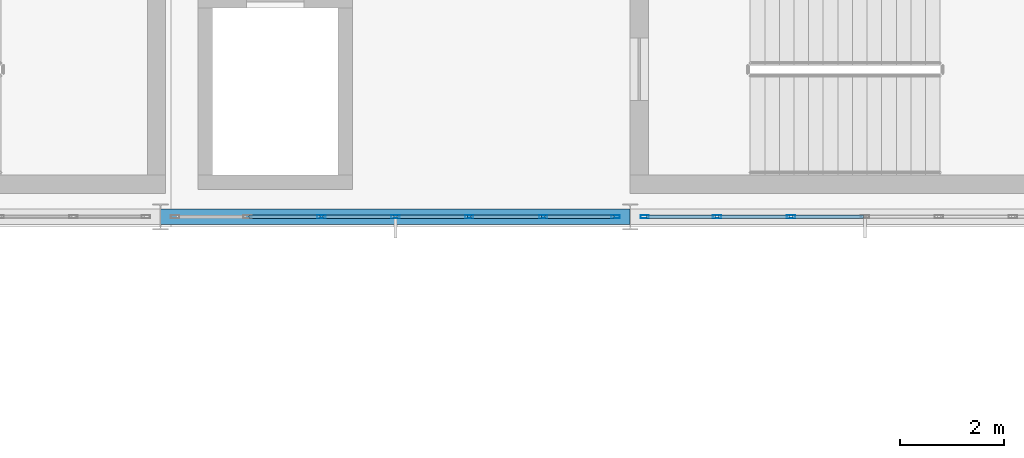
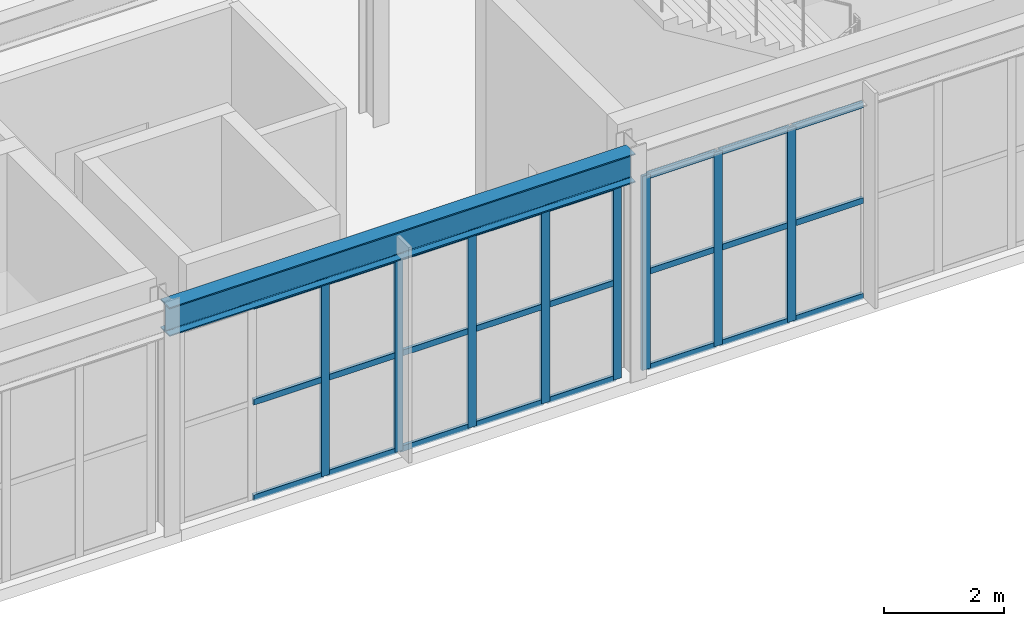
# One storey, part 29 of 112: 32 members, 1 beam, 2 elements without a shape of their own.
"""IFC4 building model written with IfcOpenShell, lengths in metres."""

from ifc_helpers import new_model, si_unit, direction, frame, origin, origin_2d, place, context, subcontext, project, spatial, hollow_rectangle, i_section, extrude, material, material_profile, profile_set, type_object, element, aggregate, save


model = new_model("IFC4")

# Units and contexts
model_context = context("Model", 3, precision=1e-05, world=origin(), true_north=direction((0.0, 1.0)))
body_context = subcontext(model_context, "Body", "Model", "MODEL_VIEW")
ifc_project = project(units=[si_unit("LENGTHUNIT", "METRE"), si_unit("AREAUNIT", "SQUARE_METRE"), si_unit("VOLUMEUNIT", "CUBIC_METRE"), si_unit("PLANEANGLEUNIT", "RADIAN"), si_unit("MASSUNIT", "GRAM", prefix="KILO")], contexts=[model_context])

# Site, building, storey
site_placement = place(None, origin())
site = spatial("IfcSite", under=ifc_project, at=site_placement, CompositionType="ELEMENT")
building_placement = place(site_placement, origin())
building = spatial("IfcBuilding", under=site, at=building_placement, Name="Kaldris Quays Convention Centre", CompositionType="ELEMENT")
storey_placement = place(building_placement, frame((0.0, 0.0, 16.800048828125)))
storey = spatial("IfcBuildingStorey", under=building, at=storey_placement, Name="L03", CompositionType="ELEMENT", Elevation=16.800048828125)

# Curtain wall, members
ifc_material_1 = material(Name="Anodized aluminium AW-6060 and triple glazing", Category="aluminium")
curtain_wall_type = type_object("IfcCurtainWallType", Name="UNITISED CURTAIN WALL CW04", PredefinedType="NOTDEFINED", material=ifc_material_1)
curtain_wall_1_placement = place(storey_placement, origin())
curtain_wall_1 = element("IfcCurtainWall", 1, at=curtain_wall_1_placement, inside=storey, type_object=curtain_wall_type, Name="L03 Unitised Curtain Wall CW04 123", PredefinedType="NOTDEFINED")
ifc_material_2 = material(Name="Anodized aluminium AW-6060", Category="aluminium")
ifc_material_profile_1 = material_profile(ifc_material_2, hollow_rectangle(XDim=0.06005859375, YDim=0.159912109375, WallThickness=0.00390625, at=origin_2d()), Name="RHS 160x60x4")
ifc_profile_set_1 = profile_set([ifc_material_profile_1], Name="Anodized aluminium AW-6060")
member_type_1 = type_object("IfcMemberType", Name="CURTAIN MULLION CWM1", PredefinedType="MULLION", material=ifc_profile_set_1)
member_1_placement = place(storey_placement, frame((104.083251953125, 38.0, 0.0), z_axis=(0.0, 0.0, 1.0), x_axis=(0.0, 1.0, 0.0)))
member_1 = element("IfcMember", 2, at=member_1_placement, type_object=member_type_1, Name="CW04 mullion 3", PredefinedType="MULLION", context=body_context, shape_type="SweptSolid", body=[
    extrude(hollow_rectangle(XDim=0.06005859375, YDim=0.159912109375, WallThickness=0.00390625, at=origin_2d()), origin(), (0.0, 0.0, 1.0), 3.96484375),
])
member_2_placement = place(storey_placement, frame((105.5, 38.0, 0.0), z_axis=(0.0, 0.0, 1.0), x_axis=(0.0, 1.0, 0.0)))
member_2 = element("IfcMember", 3, at=member_2_placement, type_object=member_type_1, Name="CW04 mullion 4", PredefinedType="MULLION", context=body_context, shape_type="SweptSolid", body=[
    extrude(hollow_rectangle(XDim=0.06005859375, YDim=0.159912109375, WallThickness=0.00390625, at=origin_2d()), origin(), (0.0, 0.0, 1.0), 3.96484375),
])
member_3_placement = place(storey_placement, frame((106.916748046875, 38.0, 0.0), z_axis=(0.0, 0.0, 1.0), x_axis=(0.0, 1.0, 0.0)))
member_3 = element("IfcMember", 4, at=member_3_placement, type_object=member_type_1, Name="CW04 mullion 5", PredefinedType="MULLION", context=body_context, shape_type="SweptSolid", body=[
    extrude(hollow_rectangle(XDim=0.06005859375, YDim=0.159912109375, WallThickness=0.00390625, at=origin_2d()), origin(), (0.0, 0.0, 1.0), 3.96484375),
])
member_4_placement = place(storey_placement, frame((108.333251953125, 38.0, 0.0), z_axis=(0.0, 0.0, 1.0), x_axis=(0.0, 1.0, 0.0)))
member_4 = element("IfcMember", 5, at=member_4_placement, type_object=member_type_1, Name="CW04 mullion 6", PredefinedType="MULLION", context=body_context, shape_type="SweptSolid", body=[
    extrude(hollow_rectangle(XDim=0.06005859375, YDim=0.159912109375, WallThickness=0.00390625, at=origin_2d()), origin(), (0.0, 0.0, 1.0), 3.96484375),
])
member_5_placement = place(storey_placement, frame((109.719970703125, 38.0, 0.0), z_axis=(0.0, 0.0, 1.0), x_axis=(0.0, 1.0, 0.0)))
member_5 = element("IfcMember", 6, at=member_5_placement, type_object=member_type_1, Name="CW04 mullion 7", PredefinedType="MULLION", context=body_context, shape_type="SweptSolid", body=[
    extrude(hollow_rectangle(XDim=0.06005859375, YDim=0.159912109375, WallThickness=0.00390625, at=origin_2d()), origin(), (0.0, 0.0, 1.0), 3.96484375),
])

curtain_wall_2_placement = place(storey_placement, origin())
curtain_wall_2 = element("IfcCurtainWall", 7, at=curtain_wall_2_placement, inside=storey, type_object=curtain_wall_type, Name="L03 Unitised Curtain Wall CW04 124", PredefinedType="NOTDEFINED")
member_6_placement = place(storey_placement, frame((110.280029296875, 38.0, 0.0), z_axis=(0.0, 0.0, 1.0), x_axis=(0.0, 1.0, 0.0)))
member_6 = element("IfcMember", 8, at=member_6_placement, type_object=member_type_1, Name="CW04 mullion 1", PredefinedType="MULLION", context=body_context, shape_type="SweptSolid", body=[
    extrude(hollow_rectangle(XDim=0.06005859375, YDim=0.159912109375, WallThickness=0.00390625, at=origin_2d()), origin(), (0.0, 0.0, 1.0), 3.96484375),
])
member_7_placement = place(storey_placement, frame((111.666748046875, 38.0, 0.0), z_axis=(0.0, 0.0, 1.0), x_axis=(0.0, 1.0, 0.0)))
member_7 = element("IfcMember", 9, at=member_7_placement, type_object=member_type_1, Name="CW04 mullion 2", PredefinedType="MULLION", context=body_context, shape_type="SweptSolid", body=[
    extrude(hollow_rectangle(XDim=0.06005859375, YDim=0.159912109375, WallThickness=0.00390625, at=origin_2d()), origin(), (0.0, 0.0, 1.0), 3.96484375),
])
member_8_placement = place(storey_placement, frame((113.083251953125, 38.0, 0.0), z_axis=(0.0, 0.0, 1.0), x_axis=(0.0, 1.0, 0.0)))
member_8 = element("IfcMember", 10, at=member_8_placement, type_object=member_type_1, Name="CW04 mullion 3", PredefinedType="MULLION", context=body_context, shape_type="SweptSolid", body=[
    extrude(hollow_rectangle(XDim=0.06005859375, YDim=0.159912109375, WallThickness=0.00390625, at=origin_2d()), origin(), (0.0, 0.0, 1.0), 3.96484375),
])

# Member
ifc_material_profile_2 = material_profile(ifc_material_2, hollow_rectangle(XDim=0.06005859375, YDim=0.1201171875, WallThickness=0.00390625, at=origin_2d()), Name="RHS 120x60x4")
ifc_profile_set_2 = profile_set([ifc_material_profile_2], Name="Anodized aluminium AW-6060")
member_type_2 = type_object("IfcMemberType", Name="CURTAIN TRANSOM CWT1", PredefinedType="USERDEFINED", material=ifc_profile_set_2)
member_9_placement = place(storey_placement, frame((102.69677734375, 38.0, 0.030029296875), z_axis=(1.0, 0.0, 0.0), x_axis=(0.0, 1.0, 0.0)))
member_9 = element("IfcMember", 11, at=member_9_placement, type_object=member_type_2, Name="CW04 transom 2.1", ObjectType="TRANSOM", PredefinedType="USERDEFINED", context=body_context, shape_type="SweptSolid", body=[
    extrude(hollow_rectangle(XDim=0.06005859375, YDim=0.1201171875, WallThickness=0.00390625, at=origin_2d()), origin(), (0.0, 0.0, 1.0), 1.3564453125),
])

member_10_placement = place(storey_placement, frame((102.69677734375, 38.0, 1.98193359375), z_axis=(1.0, 0.0, 0.0), x_axis=(0.0, 1.0, 0.0)))
member_10 = element("IfcMember", 12, at=member_10_placement, type_object=member_type_2, Name="CW04 transom 2.2", ObjectType="TRANSOM", PredefinedType="USERDEFINED", context=body_context, shape_type="SweptSolid", body=[
    extrude(hollow_rectangle(XDim=0.06005859375, YDim=0.1201171875, WallThickness=0.00390625, at=origin_2d()), origin(), (0.0, 0.0, 1.0), 1.3564453125),
])

member_11_placement = place(storey_placement, frame((102.69677734375, 38.0, 3.93505859375), z_axis=(1.0, 0.0, 0.0), x_axis=(0.0, 1.0, 0.0)))
member_11 = element("IfcMember", 13, at=member_11_placement, type_object=member_type_2, Name="CW04 transom 2.3", ObjectType="TRANSOM", PredefinedType="USERDEFINED", context=body_context, shape_type="SweptSolid", body=[
    extrude(hollow_rectangle(XDim=0.06005859375, YDim=0.1201171875, WallThickness=0.00390625, at=origin_2d()), origin(), (0.0, 0.0, 1.0), 1.3564453125),
])

member_12_placement = place(storey_placement, frame((104.11328125, 38.0, 0.030029296875), z_axis=(1.0, 0.0, 0.0), x_axis=(0.0, 1.0, 0.0)))
member_12 = element("IfcMember", 14, at=member_12_placement, type_object=member_type_2, Name="CW04 transom 3.1", ObjectType="TRANSOM", PredefinedType="USERDEFINED", context=body_context, shape_type="SweptSolid", body=[
    extrude(hollow_rectangle(XDim=0.06005859375, YDim=0.1201171875, WallThickness=0.00390625, at=origin_2d()), origin(), (0.0, 0.0, 1.0), 1.356689453125),
])

member_13_placement = place(storey_placement, frame((104.11328125, 38.0, 1.98193359375), z_axis=(1.0, 0.0, 0.0), x_axis=(0.0, 1.0, 0.0)))
member_13 = element("IfcMember", 15, at=member_13_placement, type_object=member_type_2, Name="CW04 transom 3.2", ObjectType="TRANSOM", PredefinedType="USERDEFINED", context=body_context, shape_type="SweptSolid", body=[
    extrude(hollow_rectangle(XDim=0.06005859375, YDim=0.1201171875, WallThickness=0.00390625, at=origin_2d()), origin(), (0.0, 0.0, 1.0), 1.356689453125),
])

member_14_placement = place(storey_placement, frame((104.11328125, 38.0, 3.93505859375), z_axis=(1.0, 0.0, 0.0), x_axis=(0.0, 1.0, 0.0)))
member_14 = element("IfcMember", 16, at=member_14_placement, type_object=member_type_2, Name="CW04 transom 3.3", ObjectType="TRANSOM", PredefinedType="USERDEFINED", context=body_context, shape_type="SweptSolid", body=[
    extrude(hollow_rectangle(XDim=0.06005859375, YDim=0.1201171875, WallThickness=0.00390625, at=origin_2d()), origin(), (0.0, 0.0, 1.0), 1.356689453125),
])

member_15_placement = place(storey_placement, frame((105.530029296875, 38.0, 0.030029296875), z_axis=(1.0, 0.0, 0.0), x_axis=(0.0, 1.0, 0.0)))
member_15 = element("IfcMember", 17, at=member_15_placement, type_object=member_type_2, Name="CW04 transom 4.1", ObjectType="TRANSOM", PredefinedType="USERDEFINED", context=body_context, shape_type="SweptSolid", body=[
    extrude(hollow_rectangle(XDim=0.06005859375, YDim=0.1201171875, WallThickness=0.00390625, at=origin_2d()), origin(), (0.0, 0.0, 1.0), 1.356689453125),
])

member_16_placement = place(storey_placement, frame((105.530029296875, 38.0, 1.98193359375), z_axis=(1.0, 0.0, 0.0), x_axis=(0.0, 1.0, 0.0)))
member_16 = element("IfcMember", 18, at=member_16_placement, type_object=member_type_2, Name="CW04 transom 4.2", ObjectType="TRANSOM", PredefinedType="USERDEFINED", context=body_context, shape_type="SweptSolid", body=[
    extrude(hollow_rectangle(XDim=0.06005859375, YDim=0.1201171875, WallThickness=0.00390625, at=origin_2d()), origin(), (0.0, 0.0, 1.0), 1.356689453125),
])

member_17_placement = place(storey_placement, frame((105.530029296875, 38.0, 3.93505859375), z_axis=(1.0, 0.0, 0.0), x_axis=(0.0, 1.0, 0.0)))
member_17 = element("IfcMember", 19, at=member_17_placement, type_object=member_type_2, Name="CW04 transom 4.3", ObjectType="TRANSOM", PredefinedType="USERDEFINED", context=body_context, shape_type="SweptSolid", body=[
    extrude(hollow_rectangle(XDim=0.06005859375, YDim=0.1201171875, WallThickness=0.00390625, at=origin_2d()), origin(), (0.0, 0.0, 1.0), 1.356689453125),
])

member_18_placement = place(storey_placement, frame((106.94677734375, 38.0, 0.030029296875), z_axis=(1.0, 0.0, 0.0), x_axis=(0.0, 1.0, 0.0)))
member_18 = element("IfcMember", 20, at=member_18_placement, type_object=member_type_2, Name="CW04 transom 5.1", ObjectType="TRANSOM", PredefinedType="USERDEFINED", context=body_context, shape_type="SweptSolid", body=[
    extrude(hollow_rectangle(XDim=0.06005859375, YDim=0.1201171875, WallThickness=0.00390625, at=origin_2d()), origin(), (0.0, 0.0, 1.0), 1.3564453125),
])

member_19_placement = place(storey_placement, frame((106.94677734375, 38.0, 1.98193359375), z_axis=(1.0, 0.0, 0.0), x_axis=(0.0, 1.0, 0.0)))
member_19 = element("IfcMember", 21, at=member_19_placement, type_object=member_type_2, Name="CW04 transom 5.2", ObjectType="TRANSOM", PredefinedType="USERDEFINED", context=body_context, shape_type="SweptSolid", body=[
    extrude(hollow_rectangle(XDim=0.06005859375, YDim=0.1201171875, WallThickness=0.00390625, at=origin_2d()), origin(), (0.0, 0.0, 1.0), 1.3564453125),
])

member_20_placement = place(storey_placement, frame((106.94677734375, 38.0, 3.93505859375), z_axis=(1.0, 0.0, 0.0), x_axis=(0.0, 1.0, 0.0)))
member_20 = element("IfcMember", 22, at=member_20_placement, type_object=member_type_2, Name="CW04 transom 5.3", ObjectType="TRANSOM", PredefinedType="USERDEFINED", context=body_context, shape_type="SweptSolid", body=[
    extrude(hollow_rectangle(XDim=0.06005859375, YDim=0.1201171875, WallThickness=0.00390625, at=origin_2d()), origin(), (0.0, 0.0, 1.0), 1.3564453125),
])

member_21_placement = place(storey_placement, frame((108.36328125, 38.0, 0.030029296875), z_axis=(1.0, 0.0, 0.0), x_axis=(0.0, 1.0, 0.0)))
member_21 = element("IfcMember", 23, at=member_21_placement, type_object=member_type_2, Name="CW04 transom 6.1", ObjectType="TRANSOM", PredefinedType="USERDEFINED", context=body_context, shape_type="SweptSolid", body=[
    extrude(hollow_rectangle(XDim=0.06005859375, YDim=0.1201171875, WallThickness=0.00390625, at=origin_2d()), origin(), (0.0, 0.0, 1.0), 1.32666015625),
])

member_22_placement = place(storey_placement, frame((108.36328125, 38.0, 1.98193359375), z_axis=(1.0, 0.0, 0.0), x_axis=(0.0, 1.0, 0.0)))
member_22 = element("IfcMember", 24, at=member_22_placement, type_object=member_type_2, Name="CW04 transom 6.2", ObjectType="TRANSOM", PredefinedType="USERDEFINED", context=body_context, shape_type="SweptSolid", body=[
    extrude(hollow_rectangle(XDim=0.06005859375, YDim=0.1201171875, WallThickness=0.00390625, at=origin_2d()), origin(), (0.0, 0.0, 1.0), 1.32666015625),
])

member_23_placement = place(storey_placement, frame((108.36328125, 38.0, 3.93505859375), z_axis=(1.0, 0.0, 0.0), x_axis=(0.0, 1.0, 0.0)))
member_23 = element("IfcMember", 25, at=member_23_placement, type_object=member_type_2, Name="CW04 transom 6.3", ObjectType="TRANSOM", PredefinedType="USERDEFINED", context=body_context, shape_type="SweptSolid", body=[
    extrude(hollow_rectangle(XDim=0.06005859375, YDim=0.1201171875, WallThickness=0.00390625, at=origin_2d()), origin(), (0.0, 0.0, 1.0), 1.32666015625),
])

aggregate(curtain_wall_1, [member_1, member_2, member_3, member_4, member_5, member_9, member_10, member_11, member_12, member_13, member_14, member_15, member_16, member_17, member_18, member_19, member_20, member_21, member_22, member_23])

member_24_placement = place(storey_placement, frame((110.31005859375, 38.0, 0.030029296875), z_axis=(1.0, 0.0, 0.0), x_axis=(0.0, 1.0, 0.0)))
member_24 = element("IfcMember", 26, at=member_24_placement, type_object=member_type_2, Name="CW04 transom 1.1", ObjectType="TRANSOM", PredefinedType="USERDEFINED", context=body_context, shape_type="SweptSolid", body=[
    extrude(hollow_rectangle(XDim=0.06005859375, YDim=0.1201171875, WallThickness=0.00390625, at=origin_2d()), origin(), (0.0, 0.0, 1.0), 1.32666015625),
])

member_25_placement = place(storey_placement, frame((110.31005859375, 38.0, 1.98193359375), z_axis=(1.0, 0.0, 0.0), x_axis=(0.0, 1.0, 0.0)))
member_25 = element("IfcMember", 27, at=member_25_placement, type_object=member_type_2, Name="CW04 transom 1.2", ObjectType="TRANSOM", PredefinedType="USERDEFINED", context=body_context, shape_type="SweptSolid", body=[
    extrude(hollow_rectangle(XDim=0.06005859375, YDim=0.1201171875, WallThickness=0.00390625, at=origin_2d()), origin(), (0.0, 0.0, 1.0), 1.32666015625),
])

member_26_placement = place(storey_placement, frame((110.31005859375, 38.0, 3.93505859375), z_axis=(1.0, 0.0, 0.0), x_axis=(0.0, 1.0, 0.0)))
member_26 = element("IfcMember", 28, at=member_26_placement, type_object=member_type_2, Name="CW04 transom 1.3", ObjectType="TRANSOM", PredefinedType="USERDEFINED", context=body_context, shape_type="SweptSolid", body=[
    extrude(hollow_rectangle(XDim=0.06005859375, YDim=0.1201171875, WallThickness=0.00390625, at=origin_2d()), origin(), (0.0, 0.0, 1.0), 1.32666015625),
])

member_27_placement = place(storey_placement, frame((111.69677734375, 38.0, 0.030029296875), z_axis=(1.0, 0.0, 0.0), x_axis=(0.0, 1.0, 0.0)))
member_27 = element("IfcMember", 29, at=member_27_placement, type_object=member_type_2, Name="CW04 transom 2.1", ObjectType="TRANSOM", PredefinedType="USERDEFINED", context=body_context, shape_type="SweptSolid", body=[
    extrude(hollow_rectangle(XDim=0.06005859375, YDim=0.1201171875, WallThickness=0.00390625, at=origin_2d()), origin(), (0.0, 0.0, 1.0), 1.3564453125),
])

member_28_placement = place(storey_placement, frame((111.69677734375, 38.0, 1.98193359375), z_axis=(1.0, 0.0, 0.0), x_axis=(0.0, 1.0, 0.0)))
member_28 = element("IfcMember", 30, at=member_28_placement, type_object=member_type_2, Name="CW04 transom 2.2", ObjectType="TRANSOM", PredefinedType="USERDEFINED", context=body_context, shape_type="SweptSolid", body=[
    extrude(hollow_rectangle(XDim=0.06005859375, YDim=0.1201171875, WallThickness=0.00390625, at=origin_2d()), origin(), (0.0, 0.0, 1.0), 1.3564453125),
])

member_29_placement = place(storey_placement, frame((111.69677734375, 38.0, 3.93505859375), z_axis=(1.0, 0.0, 0.0), x_axis=(0.0, 1.0, 0.0)))
member_29 = element("IfcMember", 31, at=member_29_placement, type_object=member_type_2, Name="CW04 transom 2.3", ObjectType="TRANSOM", PredefinedType="USERDEFINED", context=body_context, shape_type="SweptSolid", body=[
    extrude(hollow_rectangle(XDim=0.06005859375, YDim=0.1201171875, WallThickness=0.00390625, at=origin_2d()), origin(), (0.0, 0.0, 1.0), 1.3564453125),
])

member_30_placement = place(storey_placement, frame((113.11328125, 38.0, 0.030029296875), z_axis=(1.0, 0.0, 0.0), x_axis=(0.0, 1.0, 0.0)))
member_30 = element("IfcMember", 32, at=member_30_placement, type_object=member_type_2, Name="CW04 transom 3.1", ObjectType="TRANSOM", PredefinedType="USERDEFINED", context=body_context, shape_type="SweptSolid", body=[
    extrude(hollow_rectangle(XDim=0.06005859375, YDim=0.1201171875, WallThickness=0.00390625, at=origin_2d()), origin(), (0.0, 0.0, 1.0), 1.356689453125),
])

member_31_placement = place(storey_placement, frame((113.11328125, 38.0, 1.98193359375), z_axis=(1.0, 0.0, 0.0), x_axis=(0.0, 1.0, 0.0)))
member_31 = element("IfcMember", 33, at=member_31_placement, type_object=member_type_2, Name="CW04 transom 3.2", ObjectType="TRANSOM", PredefinedType="USERDEFINED", context=body_context, shape_type="SweptSolid", body=[
    extrude(hollow_rectangle(XDim=0.06005859375, YDim=0.1201171875, WallThickness=0.00390625, at=origin_2d()), origin(), (0.0, 0.0, 1.0), 1.356689453125),
])

member_32_placement = place(storey_placement, frame((113.11328125, 38.0, 3.93505859375), z_axis=(1.0, 0.0, 0.0), x_axis=(0.0, 1.0, 0.0)))
member_32 = element("IfcMember", 34, at=member_32_placement, type_object=member_type_2, Name="CW04 transom 3.3", ObjectType="TRANSOM", PredefinedType="USERDEFINED", context=body_context, shape_type="SweptSolid", body=[
    extrude(hollow_rectangle(XDim=0.06005859375, YDim=0.1201171875, WallThickness=0.00390625, at=origin_2d()), origin(), (0.0, 0.0, 1.0), 1.356689453125),
])

aggregate(curtain_wall_2, [member_6, member_7, member_8, member_24, member_25, member_26, member_27, member_28, member_29, member_30, member_31, member_32])

# Beam
ifc_material_3 = material(Name="Steel S355J2", Category="steel")
ifc_material_profile_3 = material_profile(ifc_material_3, i_section(OverallWidth=0.300048828125, OverallDepth=0.590087890625, WebThickness=0.012939453125, FlangeThickness=0.02490234375, FilletRadius=0.027099609375, at=origin_2d()), Name="HEA 600")
ifc_profile_set_3 = profile_set([ifc_material_profile_3], Name="Steel S355J2")
beam_type = type_object("IfcBeamType", Name="STRUCTURAL BEAM BM08", PredefinedType="BEAM", material=ifc_profile_set_3)
beam_placement = place(storey_placement, frame((101.001220703125, 38.0, 4.284912109375), z_axis=(1.0, 0.0, 0.0), x_axis=(0.0, 1.0, 0.0)))
element("IfcBeam", 35, at=beam_placement, inside=storey, type_object=beam_type, Name="L03 Girder BM08 3", PredefinedType="BEAM", context=body_context, shape_type="SweptSolid", body=[
    extrude(i_section(OverallWidth=0.300048828125, OverallDepth=0.590087890625, WebThickness=0.012939453125, FlangeThickness=0.02490234375, FilletRadius=0.027099609375, at=origin_2d()), origin(), (0.0, 0.0, 1.0), 8.99755859375),
])

save(model, "model.ifc")
